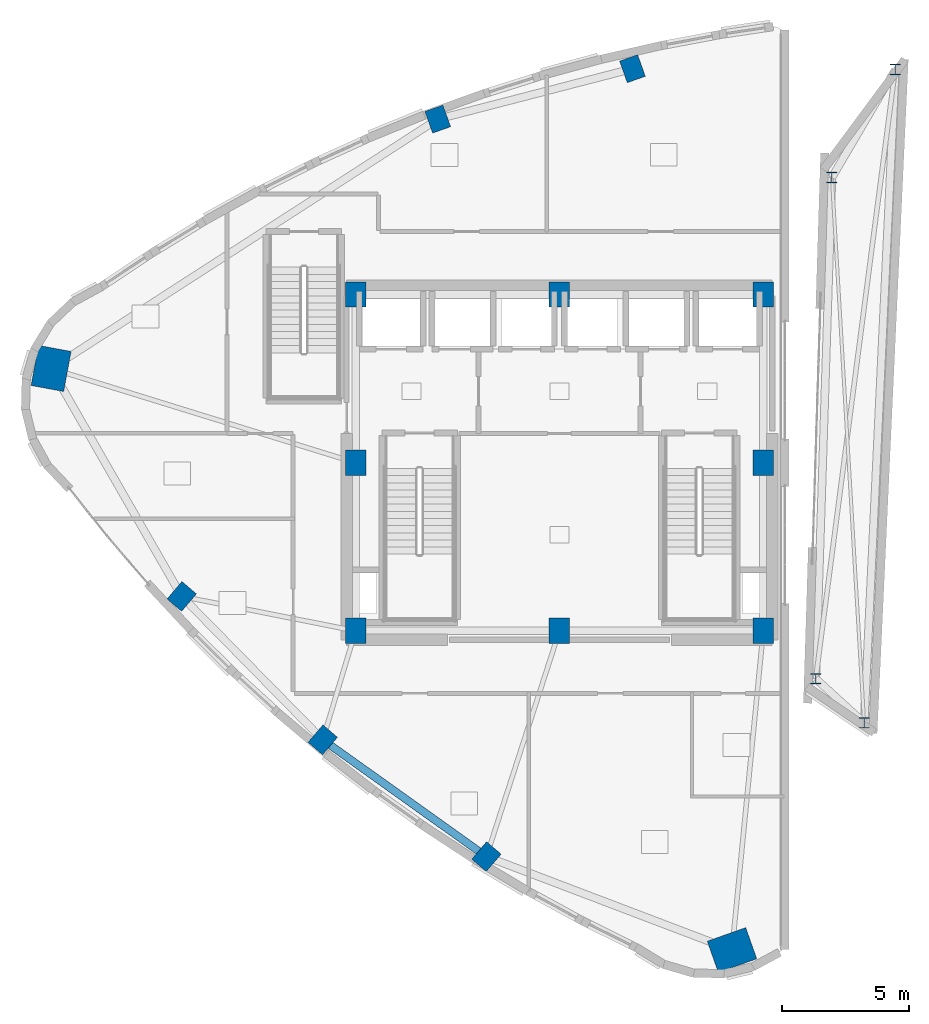
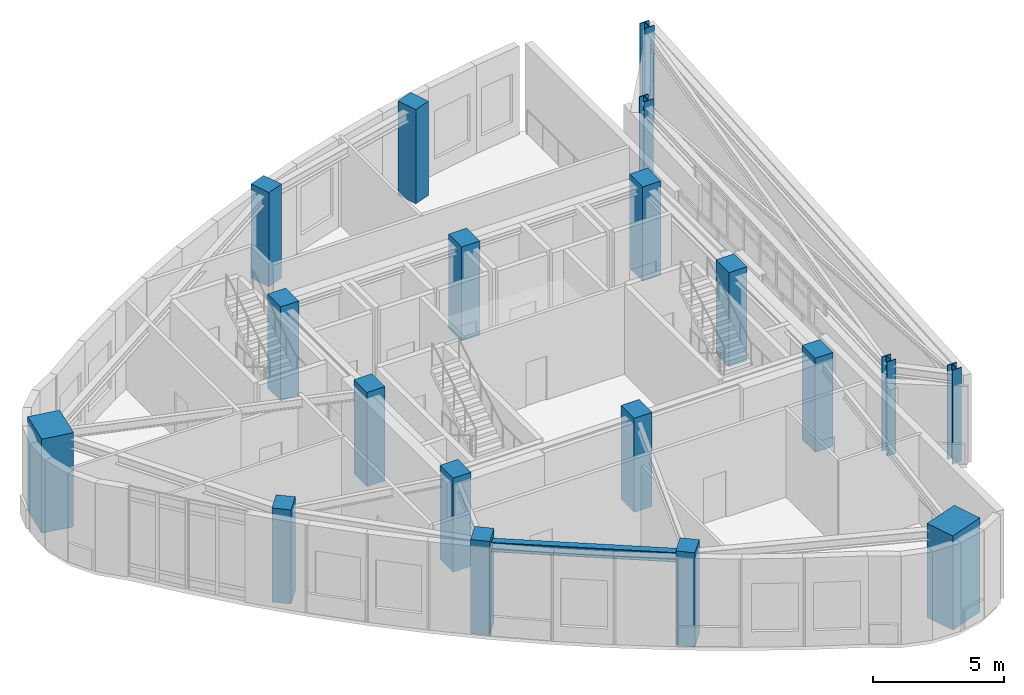
# One storey, part 1 of 19: 19 columns, 1 beam.
"""IFC4 building model written with IfcOpenShell, lengths in metres."""

from ifc_helpers import new_model, si_unit, direction, frame, origin, origin_2d, place, context, subcontext, project, spatial, rectangle, i_section, extrude, material, material_profile, profile_set, type_object, element, save


model = new_model("IFC4")

# Units and contexts
model_context = context("Model", 3, precision=1e-05, world=origin(), true_north=direction((0.0, 1.0)))
body_context = subcontext(model_context, "Body", "Model", "MODEL_VIEW")
ifc_project = project(units=[si_unit("LENGTHUNIT", "METRE"), si_unit("AREAUNIT", "SQUARE_METRE"), si_unit("VOLUMEUNIT", "CUBIC_METRE"), si_unit("PLANEANGLEUNIT", "RADIAN"), si_unit("MASSUNIT", "GRAM", prefix="KILO")], contexts=[model_context])

# Site, building, storey
site_placement = place(None, origin())
site = spatial("IfcSite", under=ifc_project, at=site_placement, CompositionType="ELEMENT")
building_placement = place(site_placement, origin())
building = spatial("IfcBuilding", under=site, at=building_placement, Name="Ndelora Gate Hotel", CompositionType="ELEMENT")
storey_placement = place(building_placement, frame((0.0, 0.0, 290.39990234375)))
storey = spatial("IfcBuildingStorey", under=building, at=storey_placement, Name="L72", CompositionType="ELEMENT", Elevation=290.39990234375)

# Columns
ifc_material_1 = material(Name="Concrete C50/60", Category="concrete")
ifc_material_profile_1 = material_profile(ifc_material_1, rectangle(XDim=0.800048828125, YDim=1.0, at=origin_2d()), Name="RC 1000x800")
ifc_profile_set_1 = profile_set([ifc_material_profile_1], Name="Concrete C50/60")
column_type_1 = type_object("IfcColumnType", Name="COL-CC-HI", PredefinedType="COLUMN", material=ifc_profile_set_1)
for number, where, z_axis, x_axis, name in (
    (1, (-8.0, -6.60009765625, 0.0), (0.0, 0.0, 1.0), (1.0, 0.0, 0.0), "L72 Core Column CC1"),
    (2, (0.0, -6.60009765625, 0.0), (0.0, 0.0, 1.0), (1.0, 0.0, 0.0), "L72 Core Column CC2"),
    (3, (8.0, -6.60009765625, 0.0), (0.0, 0.0, 1.0), (1.0, 0.0, 0.0), "L72 Core Column CC3"),
    (4, (8.0, 0.0, 0.0), (0.0, 0.0, 1.0), (1.0, 0.0, 0.0), "L72 Core Column CC4"),
    (5, (8.0, 6.60009765625, 0.0), (0.0, 0.0, 1.0), (1.0, 0.0, 0.0), "L72 Core Column CC5"),
    (6, (0.0, 6.60009765625, 0.0), (0.0, 0.0, 1.0), (1.0, 0.0, 0.0), "L72 Core Column CC6"),
    (7, (-8.0, 6.60009765625, 0.0), (0.0, 0.0, 1.0), (1.0, 0.0, 0.0), "L72 Core Column CC7"),
    (8, (-8.0, 0.0, 0.0), (0.0, 0.0, 1.0), (1.0, 0.0, 0.0), "L72 Core Column CC8"),
):
    element("IfcColumn", number, at=place(storey_placement, frame(where, z_axis=z_axis, x_axis=x_axis)), inside=storey, type_object=column_type_1, Name=name, PredefinedType="COLUMN", context=body_context, shape_type="SweptSolid", body=[
        extrude(rectangle(XDim=0.800048828125, YDim=1.0, at=origin_2d()), origin(), (0.0, 0.0, 1.0), 4.400146484375),
    ])
ifc_material_profile_2 = material_profile(ifc_material_1, rectangle(XDim=1.300048828125, YDim=1.60009765625, at=origin_2d()), Name="RC 1600x1300")
ifc_profile_set_2 = profile_set([ifc_material_profile_2], Name="Concrete C50/60")
column_type_2 = type_object("IfcColumnType", Name="COL-MC-Z4", PredefinedType="COLUMN", material=ifc_profile_set_2)
for number, where, z_axis, x_axis, name in (
    (9, (-19.949951171875, 3.697509765625, 0.0), (0.0, 0.0, 1.0), (-0.983254907564, 0.182235525492, 0.0), "L72 Corner Mega-Column R1"),
    (10, (6.772705078125, -19.1259765625, 0.0), (0.0, 0.0, 1.0), (-0.333806859234, 0.942641491092, 0.0), "L72 Corner Mega-Column R5"),
):
    element("IfcColumn", number, at=place(storey_placement, frame(where, z_axis=z_axis, x_axis=x_axis)), inside=storey, type_object=column_type_2, Name=name, PredefinedType="COLUMN", context=body_context, shape_type="SweptSolid", body=[
        extrude(rectangle(XDim=1.300048828125, YDim=1.60009765625, at=origin_2d()), origin(), (0.0, 0.0, 1.0), 4.400146484375),
    ])
ifc_material_profile_3 = material_profile(ifc_material_1, rectangle(XDim=0.75, YDim=0.89990234375, at=origin_2d()), Name="RC 900x750")
ifc_profile_set_3 = profile_set([ifc_material_profile_3], Name="Concrete C50/60")
column_type_3 = type_object("IfcColumnType", Name="COL-PT-Z4", PredefinedType="COLUMN", material=ifc_profile_set_3)
for number, where, z_axis, x_axis, name in (
    (11, (-14.822509765625, -5.248779296875, 0.0), (0.0, 0.0, 1.0), (-0.7604059656, 0.64944804833, 0.0), "L72 Perimeter Tube Column R2"),
    (12, (-9.2890625, -10.876220703125, 0.0), (0.0, 0.0, 1.0), (-0.7604059656, 0.64944804833, 0.0), "L72 Perimeter Tube Column R3"),
    (13, (-2.865478515625, -15.461181640625, 0.0), (0.0, 0.0, 1.0), (-0.7604059656, 0.64944804833, 0.0), "L72 Perimeter Tube Column R4"),
    (14, (2.865478515625, 15.461181640625, 0.0), (0.0, 0.0, 1.0), (0.942641491092, 0.333806859234, 0.0), "L72 Perimeter Tube Column R10"),
    (15, (-4.7744140625, 13.482666015625, 0.0), (0.0, 0.0, 1.0), (0.942641491092, 0.333806859234, 0.0), "L72 Perimeter Tube Column R11"),
):
    element("IfcColumn", number, at=place(storey_placement, frame(where, z_axis=z_axis, x_axis=x_axis)), inside=storey, type_object=column_type_3, Name=name, PredefinedType="COLUMN", context=body_context, shape_type="SweptSolid", body=[
        extrude(rectangle(XDim=0.75, YDim=0.89990234375, at=origin_2d()), origin(), (0.0, 0.0, 1.0), 4.400146484375),
    ])
ifc_material_2 = material(Name="Steel S460", Category="steel")
ifc_material_profile_4 = material_profile(ifc_material_2, i_section(OverallWidth=0.406005859375, OverallDepth=0.416015625, WebThickness=0.021484375, FlangeThickness=0.034423828125, FilletRadius=0.014892578125, at=origin_2d()), Name="HD 400x382")
ifc_profile_set_4 = profile_set([ifc_material_profile_4], Name="Steel S460")
column_type_4 = type_object("IfcColumnType", Name="COL-STL-CRN2", PredefinedType="COLUMN", material=ifc_profile_set_4)
for number, where, z_axis, x_axis, name in (
    (16, (10.0576171875, -8.478271484375, 0.0), (0.0, 0.0, 1.0), (1.0, 0.0, 0.0), "L72 East Crown Peak Column EP-1"),
    (17, (11.956787109375, -10.212158203125, 0.0), (0.0, 0.0, 1.0), (1.0, 0.0, 0.0), "L72 East Crown Peak Column EP-2"),
    (18, (13.177001953125, 15.428466796875, 0.0), (0.0, 0.0, 1.0), (1.0, 0.0, 0.0), "L72 East Crown Peak Column EP-3"),
    (19, (10.692138671875, 11.19091796875, 0.0), (0.0, 0.0, 1.0), (1.0, 0.0, 0.0), "L72 East Crown Peak Column EP-4"),
):
    element("IfcColumn", number, at=place(storey_placement, frame(where, z_axis=z_axis, x_axis=x_axis)), inside=storey, type_object=column_type_4, Name=name, PredefinedType="COLUMN", context=body_context, shape_type="SweptSolid", body=[
        extrude(i_section(OverallWidth=0.406005859375, OverallDepth=0.416015625, WebThickness=0.021484375, FlangeThickness=0.034423828125, FilletRadius=0.014892578125, at=origin_2d()), origin(), (0.0, 0.0, 1.0), 4.400146484375),
    ])

# Beam
ifc_material_3 = material(Name="Steel S355", Category="steel")
ifc_material_profile_5 = material_profile(ifc_material_3, i_section(OverallWidth=0.300048828125, OverallDepth=0.449951171875, WebThickness=0.013916015625, FlangeThickness=0.02587890625, FilletRadius=0.027099609375, at=origin_2d()), Name="HEB 450")
ifc_profile_set_5 = profile_set([ifc_material_profile_5], Name="Steel S355")
beam_type = type_object("IfcBeamType", Name="BM-RING-450", PredefinedType="SPANDREL", material=ifc_profile_set_5)
beam_placement = place(storey_placement, frame((-9.2890625, -10.876220703125, 3.905029296875), z_axis=(0.813931993272, -0.580960162428, 0.0), x_axis=(0.580960162428, 0.813931993272, 0.0)))
element("IfcBeam", 20, at=beam_placement, inside=storey, type_object=beam_type, Name="L72 structural beam RB-5", PredefinedType="SPANDREL", context=body_context, shape_type="SweptSolid", body=[
    extrude(i_section(OverallWidth=0.300048828125, OverallDepth=0.449951171875, WebThickness=0.013916015625, FlangeThickness=0.02587890625, FilletRadius=0.027099609375, at=origin_2d()), origin(), (0.0, 0.0, 1.0), 7.89208984375),
])

save(model, "model.ifc")
